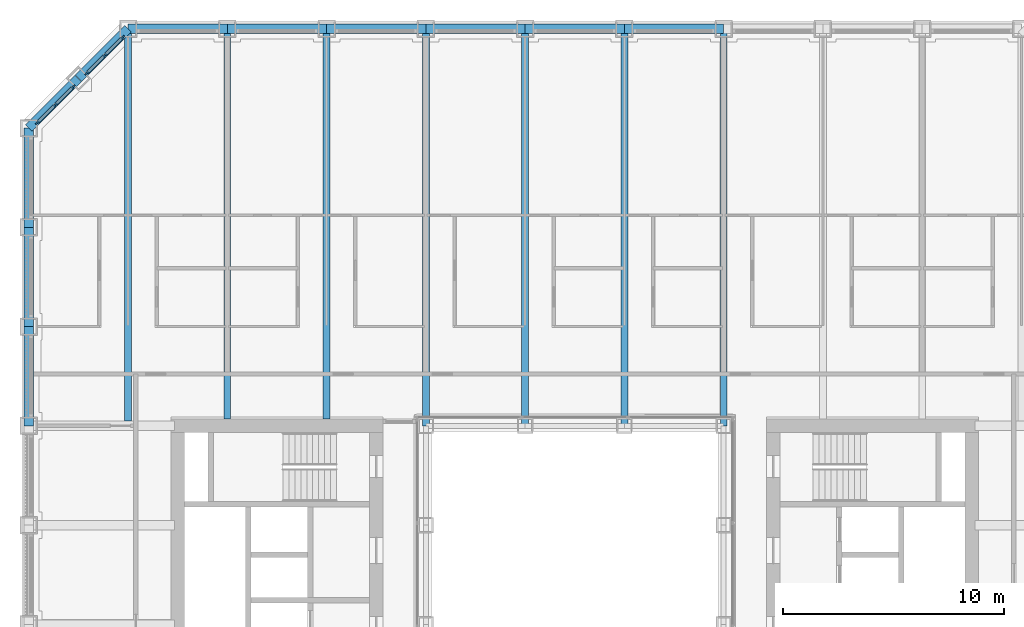
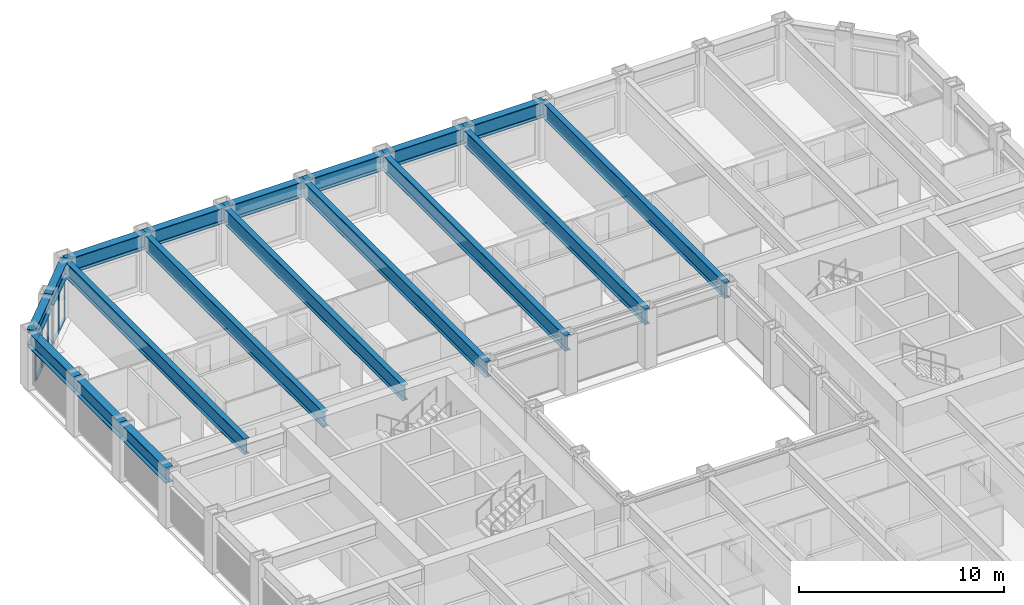
# One storey, part 6 of 21: 18 beams, 14 members, 2 elements without a shape of their own.
"""IFC4 building model written with IfcOpenShell, lengths in metres."""

from ifc_helpers import new_model, si_unit, direction, frame, origin, origin_2d, place, context, subcontext, project, spatial, rectangle, i_section, extrude, material, material_profile, profile_set, type_object, element, aggregate, save


model = new_model("IFC4")

# Units and contexts
model_context = context("Model", 3, precision=1e-05, world=origin(), true_north=direction((0.0, 1.0)))
body_context = subcontext(model_context, "Body", "Model", "MODEL_VIEW")
ifc_project = project(units=[si_unit("LENGTHUNIT", "METRE"), si_unit("AREAUNIT", "SQUARE_METRE"), si_unit("VOLUMEUNIT", "CUBIC_METRE"), si_unit("PLANEANGLEUNIT", "RADIAN"), si_unit("MASSUNIT", "GRAM", prefix="KILO")], contexts=[model_context])

# Site, building, storey
site_placement = place(None, origin())
site = spatial("IfcSite", under=ifc_project, at=site_placement, CompositionType="ELEMENT")
building_placement = place(site_placement, origin())
building = spatial("IfcBuilding", under=site, at=building_placement, Name="Msasa Ring Tower", CompositionType="ELEMENT")
storey_placement = place(building_placement, frame((0.0, 0.0, 54.5)))
storey = spatial("IfcBuildingStorey", under=building, at=storey_placement, Name="L13", CompositionType="ELEMENT", Elevation=54.5)

# Curtain wall, members
ifc_material_1 = material(Name="Aluminium curtain wall with clear glass", Category="aluminium")
curtain_wall_type = type_object("IfcCurtainWallType", Name="CW-C CHAMFER CORNER CURTAIN WALL", PredefinedType="NOTDEFINED", material=ifc_material_1)
curtain_wall_1_placement = place(storey_placement, origin())
curtain_wall_1 = element("IfcCurtainWall", 1, at=curtain_wall_1_placement, inside=storey, type_object=curtain_wall_type, Name="Chamfer corner curtain wall NW L13", PredefinedType="NOTDEFINED")
ifc_material_2 = material(Name="Aluminium mullion", Category="aluminium")
ifc_material_profile_1 = material_profile(ifc_material_2, rectangle(XDim=0.06494140625, YDim=0.179931640625, at=origin_2d()), Name="AL 65x180")
ifc_profile_set_1 = profile_set([ifc_material_profile_1], Name="Aluminium mullion")
member_type_1 = type_object("IfcMemberType", Name="CW-C MULLION 65x180", PredefinedType="MULLION", material=ifc_profile_set_1)
member_1_placement = place(storey_placement, frame((-22.73876953125, 22.119873046875, 0.0), z_axis=(0.0, 0.0, 1.0), x_axis=(0.707106781187, -0.707106781187, 0.0)))
member_1 = element("IfcMember", 2, at=member_1_placement, type_object=member_type_1, Name="CW-C mullion 1", PredefinedType="MULLION", context=body_context, shape_type="SweptSolid", body=[
    extrude(rectangle(XDim=0.06494140625, YDim=0.179931640625, at=origin_2d()), origin(), (0.0, 0.0, 1.0), 2.37890625),
])
member_2_placement = place(storey_placement, frame((-23.55419921875, 21.30419921875, 0.0), z_axis=(0.0, 0.0, 1.0), x_axis=(0.707106781187, -0.707106781187, 0.0)))
member_2 = element("IfcMember", 3, at=member_2_placement, type_object=member_type_1, Name="CW-C mullion 2", PredefinedType="MULLION", context=body_context, shape_type="SweptSolid", body=[
    extrude(rectangle(XDim=0.06494140625, YDim=0.179931640625, at=origin_2d()), origin(), (0.0, 0.0, 1.0), 2.37890625),
])
member_3_placement = place(storey_placement, frame((-24.369873046875, 20.48876953125, 0.0), z_axis=(0.0, 0.0, 1.0), x_axis=(0.707106781187, -0.707106781187, 0.0)))
member_3 = element("IfcMember", 4, at=member_3_placement, type_object=member_type_1, Name="CW-C mullion 3", PredefinedType="MULLION", context=body_context, shape_type="SweptSolid", body=[
    extrude(rectangle(XDim=0.06494140625, YDim=0.179931640625, at=origin_2d()), origin(), (0.0, 0.0, 1.0), 2.37890625),
])

curtain_wall_2_placement = place(storey_placement, origin())
curtain_wall_2 = element("IfcCurtainWall", 5, at=curtain_wall_2_placement, inside=storey, type_object=curtain_wall_type, Name="Chamfer corner curtain wall NW L13", PredefinedType="NOTDEFINED")
member_4_placement = place(storey_placement, frame((-20.48876953125, 24.369873046875, 0.0), z_axis=(0.0, 0.0, 1.0), x_axis=(0.707106781187, -0.707106781187, 0.0)))
member_4 = element("IfcMember", 6, at=member_4_placement, type_object=member_type_1, Name="CW-C mullion 1", PredefinedType="MULLION", context=body_context, shape_type="SweptSolid", body=[
    extrude(rectangle(XDim=0.06494140625, YDim=0.179931640625, at=origin_2d()), origin(), (0.0, 0.0, 1.0), 2.37890625),
])
member_5_placement = place(storey_placement, frame((-21.30419921875, 23.55419921875, 0.0), z_axis=(0.0, 0.0, 1.0), x_axis=(0.707106781187, -0.707106781187, 0.0)))
member_5 = element("IfcMember", 7, at=member_5_placement, type_object=member_type_1, Name="CW-C mullion 2", PredefinedType="MULLION", context=body_context, shape_type="SweptSolid", body=[
    extrude(rectangle(XDim=0.06494140625, YDim=0.179931640625, at=origin_2d()), origin(), (0.0, 0.0, 1.0), 2.37890625),
])
member_6_placement = place(storey_placement, frame((-22.119873046875, 22.73876953125, 0.0), z_axis=(0.0, 0.0, 1.0), x_axis=(0.707106781187, -0.707106781187, 0.0)))
member_6 = element("IfcMember", 8, at=member_6_placement, type_object=member_type_1, Name="CW-C mullion 3", PredefinedType="MULLION", context=body_context, shape_type="SweptSolid", body=[
    extrude(rectangle(XDim=0.06494140625, YDim=0.179931640625, at=origin_2d()), origin(), (0.0, 0.0, 1.0), 2.37890625),
])

# Member
ifc_material_3 = material(Name="Aluminium transom", Category="aluminium")
ifc_material_profile_2 = material_profile(ifc_material_3, rectangle(XDim=0.139892578125, YDim=0.06494140625, at=origin_2d()), Name="AL 65x140")
ifc_profile_set_2 = profile_set([ifc_material_profile_2], Name="Aluminium transom")
member_type_2 = type_object("IfcMemberType", Name="CW-C TRANSOM 65x140", PredefinedType="USERDEFINED", material=ifc_profile_set_2)
member_7_placement = place(storey_placement, frame((-22.76171875, 22.096923828125, 0.032470703125), z_axis=(-0.707106781187, -0.707106781187, 0.0), x_axis=(0.707106781187, -0.707106781187, 0.0)))
member_7 = element("IfcMember", 9, at=member_7_placement, type_object=member_type_2, Name="CW-C transom 1.1", ObjectType="TRANSOM", PredefinedType="USERDEFINED", context=body_context, shape_type="SweptSolid", body=[
    extrude(rectangle(XDim=0.139892578125, YDim=0.06494140625, at=origin_2d()), origin(), (0.0, 0.0, 1.0), 1.08837890625),
])

member_8_placement = place(storey_placement, frame((-22.76171875, 22.096923828125, 2.346435546875), z_axis=(-0.707106781187, -0.707106781187, 0.0), x_axis=(0.707106781187, -0.707106781187, 0.0)))
member_8 = element("IfcMember", 10, at=member_8_placement, type_object=member_type_2, Name="CW-C transom 1.2", ObjectType="TRANSOM", PredefinedType="USERDEFINED", context=body_context, shape_type="SweptSolid", body=[
    extrude(rectangle(XDim=0.139892578125, YDim=0.06494140625, at=origin_2d()), origin(), (0.0, 0.0, 1.0), 1.08837890625),
])

member_9_placement = place(storey_placement, frame((-23.577392578125, 21.28125, 0.032470703125), z_axis=(-0.707106781187, -0.707106781187, 0.0), x_axis=(0.707106781187, -0.707106781187, 0.0)))
member_9 = element("IfcMember", 11, at=member_9_placement, type_object=member_type_2, Name="CW-C transom 2.1", ObjectType="TRANSOM", PredefinedType="USERDEFINED", context=body_context, shape_type="SweptSolid", body=[
    extrude(rectangle(XDim=0.139892578125, YDim=0.06494140625, at=origin_2d()), origin(), (0.0, 0.0, 1.0), 1.08837890625),
])

member_10_placement = place(storey_placement, frame((-23.577392578125, 21.28125, 2.346435546875), z_axis=(-0.707106781187, -0.707106781187, 0.0), x_axis=(0.707106781187, -0.707106781187, 0.0)))
member_10 = element("IfcMember", 12, at=member_10_placement, type_object=member_type_2, Name="CW-C transom 2.2", ObjectType="TRANSOM", PredefinedType="USERDEFINED", context=body_context, shape_type="SweptSolid", body=[
    extrude(rectangle(XDim=0.139892578125, YDim=0.06494140625, at=origin_2d()), origin(), (0.0, 0.0, 1.0), 1.08837890625),
])

aggregate(curtain_wall_1, [member_1, member_2, member_3, member_7, member_8, member_9, member_10])

member_11_placement = place(storey_placement, frame((-20.51171875, 24.346923828125, 0.032470703125), z_axis=(-0.707106781187, -0.707106781187, 0.0), x_axis=(0.707106781187, -0.707106781187, 0.0)))
member_11 = element("IfcMember", 13, at=member_11_placement, type_object=member_type_2, Name="CW-C transom 1.1", ObjectType="TRANSOM", PredefinedType="USERDEFINED", context=body_context, shape_type="SweptSolid", body=[
    extrude(rectangle(XDim=0.139892578125, YDim=0.06494140625, at=origin_2d()), origin(), (0.0, 0.0, 1.0), 1.08837890625),
])

member_12_placement = place(storey_placement, frame((-20.51171875, 24.346923828125, 2.346435546875), z_axis=(-0.707106781187, -0.707106781187, 0.0), x_axis=(0.707106781187, -0.707106781187, 0.0)))
member_12 = element("IfcMember", 14, at=member_12_placement, type_object=member_type_2, Name="CW-C transom 1.2", ObjectType="TRANSOM", PredefinedType="USERDEFINED", context=body_context, shape_type="SweptSolid", body=[
    extrude(rectangle(XDim=0.139892578125, YDim=0.06494140625, at=origin_2d()), origin(), (0.0, 0.0, 1.0), 1.08837890625),
])

member_13_placement = place(storey_placement, frame((-21.327392578125, 23.53125, 0.032470703125), z_axis=(-0.707106781187, -0.707106781187, 0.0), x_axis=(0.707106781187, -0.707106781187, 0.0)))
member_13 = element("IfcMember", 15, at=member_13_placement, type_object=member_type_2, Name="CW-C transom 2.1", ObjectType="TRANSOM", PredefinedType="USERDEFINED", context=body_context, shape_type="SweptSolid", body=[
    extrude(rectangle(XDim=0.139892578125, YDim=0.06494140625, at=origin_2d()), origin(), (0.0, 0.0, 1.0), 1.08837890625),
])

member_14_placement = place(storey_placement, frame((-21.327392578125, 23.53125, 2.346435546875), z_axis=(-0.707106781187, -0.707106781187, 0.0), x_axis=(0.707106781187, -0.707106781187, 0.0)))
member_14 = element("IfcMember", 16, at=member_14_placement, type_object=member_type_2, Name="CW-C transom 2.2", ObjectType="TRANSOM", PredefinedType="USERDEFINED", context=body_context, shape_type="SweptSolid", body=[
    extrude(rectangle(XDim=0.139892578125, YDim=0.06494140625, at=origin_2d()), origin(), (0.0, 0.0, 1.0), 1.08837890625),
])

aggregate(curtain_wall_2, [member_4, member_5, member_6, member_11, member_12, member_13, member_14])

# Beams
ifc_material_4 = material(Name="Steel S355", Category="steel")
ifc_material_profile_3 = material_profile(ifc_material_4, i_section(OverallWidth=0.3076171875, OverallDepth=0.926513671875, WebThickness=0.01953125, FlangeThickness=0.031982421875, FilletRadius=0.01904296875, at=origin_2d()), Name="UB 914x305x289")
ifc_profile_set_3 = profile_set([ifc_material_profile_3], Name="Steel S355")
beam_type_1 = type_object("IfcBeamType", Name="FB3 UB 914x305x289", PredefinedType="BEAM", material=ifc_profile_set_3)
beam_placement = place(storey_placement, frame((-20.25, 24.75, 2.836669921875), z_axis=(0.0, -1.0, 0.0), x_axis=(1.0, 0.0, 0.0)))
element("IfcBeam", 17, at=beam_placement, inside=storey, type_object=beam_type_1, Name="Floor beam N-20.25 under L14", PredefinedType="BEAM", context=body_context, shape_type="SweptSolid", body=[
    extrude(i_section(OverallWidth=0.3076171875, OverallDepth=0.926513671875, WebThickness=0.01953125, FlangeThickness=0.031982421875, FilletRadius=0.01904296875, at=origin_2d()), origin(), (0.0, 0.0, 1.0), 17.789794921875),
])
for number, where, z_axis, x_axis, name in (
    (18, (-15.75, 24.75, 2.836669921875), (0.0, -1.0, 0.0), (1.0, 0.0, 0.0), "Floor beam N-15.75 under L14"),
    (19, (-11.25, 24.75, 2.836669921875), (0.0, -1.0, 0.0), (1.0, 0.0, 0.0), "Floor beam N-11.25 under L14"),
):
    element("IfcBeam", number, at=place(storey_placement, frame(where, z_axis=z_axis, x_axis=x_axis)), inside=storey, type_object=beam_type_1, Name=name, PredefinedType="BEAM", context=body_context, shape_type="SweptSolid", body=[
        extrude(i_section(OverallWidth=0.3076171875, OverallDepth=0.926513671875, WebThickness=0.01953125, FlangeThickness=0.031982421875, FilletRadius=0.01904296875, at=origin_2d()), origin(), (0.0, 0.0, 1.0), 17.699951171875),
    ])
for number, where, z_axis, x_axis, name in (
    (20, (-6.75, 24.75, 2.836669921875), (0.0, -1.0, 0.0), (1.0, 0.0, 0.0), "Floor beam N-6.75 under L14"),
    (21, (-2.25, 24.75, 2.836669921875), (0.0, -1.0, 0.0), (1.0, 0.0, 0.0), "Floor beam N-2.25 under L14"),
    (22, (2.25, 24.75, 2.836669921875), (0.0, -1.0, 0.0), (1.0, 0.0, 0.0), "Floor beam N+2.25 under L14"),
    (23, (6.75, 24.75, 2.836669921875), (0.0, -1.0, 0.0), (1.0, 0.0, 0.0), "Floor beam N+6.75 under L14"),
):
    element("IfcBeam", number, at=place(storey_placement, frame(where, z_axis=z_axis, x_axis=x_axis)), inside=storey, type_object=beam_type_1, Name=name, PredefinedType="BEAM", context=body_context, shape_type="SweptSolid", body=[
        extrude(i_section(OverallWidth=0.3076171875, OverallDepth=0.926513671875, WebThickness=0.01953125, FlangeThickness=0.031982421875, FilletRadius=0.01904296875, at=origin_2d()), origin(), (0.0, 0.0, 1.0), 18.0),
    ])
ifc_material_5 = material(Name="Steel S355", Category="steel")
ifc_material_profile_4 = material_profile(ifc_material_5, i_section(OverallWidth=0.42041015625, OverallDepth=0.9208984375, WebThickness=0.021484375, FlangeThickness=0.03662109375, FilletRadius=0.024169921875, at=origin_2d()), Name="UB 914x419x388")
ifc_profile_set_4 = profile_set([ifc_material_profile_4], Name="Steel S355")
beam_type_2 = type_object("IfcBeamType", Name="SB1 UB 914x419x388", PredefinedType="SPANDREL", material=ifc_profile_set_4)
for number, where, z_axis, x_axis, name in (
    (24, (6.75, 24.75, 2.839599609375), (-1.0, 0.0, 0.0), (0.0, -1.0, 0.0), "Spandrel N+6.75 to N+2.25 under L14"),
    (25, (2.25, 24.75, 2.839599609375), (-1.0, 0.0, 0.0), (0.0, -1.0, 0.0), "Spandrel N+2.25 to N-2.25 under L14"),
    (26, (-2.25, 24.75, 2.839599609375), (-1.0, 0.0, 0.0), (0.0, -1.0, 0.0), "Spandrel N-2.25 to N-6.75 under L14"),
    (27, (-6.75, 24.75, 2.839599609375), (-1.0, 0.0, 0.0), (0.0, -1.0, 0.0), "Spandrel N-6.75 to N-11.25 under L14"),
    (28, (-11.25, 24.75, 2.839599609375), (-1.0, 0.0, 0.0), (0.0, -1.0, 0.0), "Spandrel N-11.25 to N-15.75 under L14"),
    (29, (-15.75, 24.75, 2.839599609375), (-1.0, 0.0, 0.0), (0.0, -1.0, 0.0), "Spandrel N-15.75 to N-20.25 under L14"),
):
    element("IfcBeam", number, at=place(storey_placement, frame(where, z_axis=z_axis, x_axis=x_axis)), inside=storey, type_object=beam_type_2, Name=name, PredefinedType="SPANDREL", context=body_context, shape_type="SweptSolid", body=[
        extrude(i_section(OverallWidth=0.42041015625, OverallDepth=0.9208984375, WebThickness=0.021484375, FlangeThickness=0.03662109375, FilletRadius=0.024169921875, at=origin_2d()), origin(), (0.0, 0.0, 1.0), 4.5),
    ])
for number, where, z_axis, x_axis, name in (
    (30, (-20.25, 24.75, 2.839599609375), (-0.707106781187, -0.707106781187, 0.0), (0.707106781187, -0.707106781187, 0.0), "Spandrel N-20.25 to NW under L14"),
    (31, (-22.5, 22.5, 2.839599609375), (-0.707106781187, -0.707106781187, 0.0), (0.707106781187, -0.707106781187, 0.0), "Spandrel NW to W+20.25 under L14"),
):
    element("IfcBeam", number, at=place(storey_placement, frame(where, z_axis=z_axis, x_axis=x_axis)), inside=storey, type_object=beam_type_2, Name=name, PredefinedType="SPANDREL", context=body_context, shape_type="SweptSolid", body=[
        extrude(i_section(OverallWidth=0.42041015625, OverallDepth=0.9208984375, WebThickness=0.021484375, FlangeThickness=0.03662109375, FilletRadius=0.024169921875, at=origin_2d()), origin(), (0.0, 0.0, 1.0), 3.181884765625),
    ])
for number, where, z_axis, x_axis, name in (
    (32, (-24.75, 20.25, 2.839599609375), (0.0, -1.0, 0.0), (1.0, 0.0, 0.0), "Spandrel W+20.25 to W+15.75 under L14"),
    (33, (-24.75, 15.75, 2.839599609375), (0.0, -1.0, 0.0), (1.0, 0.0, 0.0), "Spandrel W+15.75 to W+11.25 under L14"),
    (34, (-24.75, 11.25, 2.839599609375), (0.0, -1.0, 0.0), (1.0, 0.0, 0.0), "Spandrel W+11.25 to W+6.75 under L14"),
):
    element("IfcBeam", number, at=place(storey_placement, frame(where, z_axis=z_axis, x_axis=x_axis)), inside=storey, type_object=beam_type_2, Name=name, PredefinedType="SPANDREL", context=body_context, shape_type="SweptSolid", body=[
        extrude(i_section(OverallWidth=0.42041015625, OverallDepth=0.9208984375, WebThickness=0.021484375, FlangeThickness=0.03662109375, FilletRadius=0.024169921875, at=origin_2d()), origin(), (0.0, 0.0, 1.0), 4.5),
    ])

save(model, "model.ifc")
